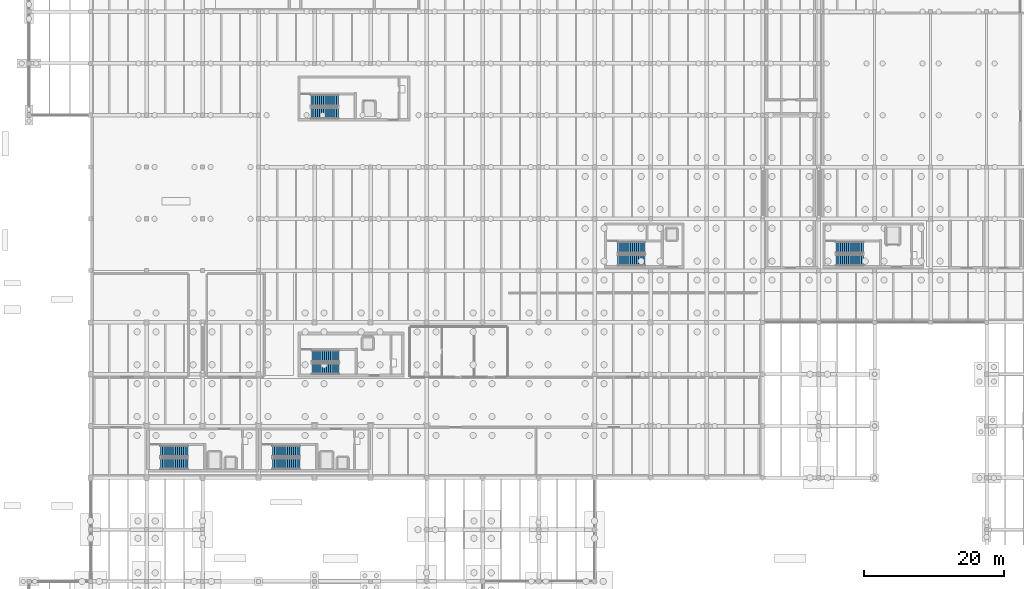
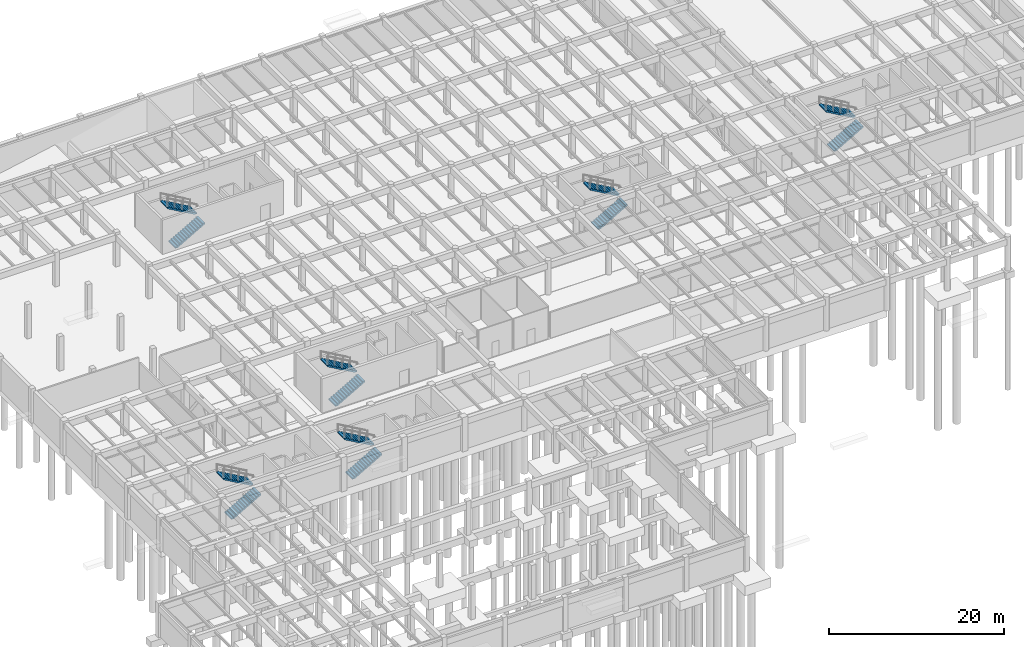
# One storey, part 26 of 40: 12 stair flights, 6 elements without a shape of their own.
"""IFC4 building model written with IfcOpenShell, lengths in metres."""

from ifc_helpers import new_model, si_unit, direction, frame, origin, place, context, subcontext, project, spatial, polyline, outline, extrude, material, type_object, element, aggregate, save


model = new_model("IFC4")

# Units and contexts
model_context = context("Model", 3, precision=1e-05, world=origin(), true_north=direction((0.0, 1.0)))
body_context = subcontext(model_context, "Body", "Model", "MODEL_VIEW")
ifc_project = project(units=[si_unit("LENGTHUNIT", "METRE"), si_unit("AREAUNIT", "SQUARE_METRE"), si_unit("VOLUMEUNIT", "CUBIC_METRE"), si_unit("PLANEANGLEUNIT", "RADIAN"), si_unit("MASSUNIT", "GRAM", prefix="KILO")], contexts=[model_context])

# Site, building, storey
site_placement = place(None, origin())
site = spatial("IfcSite", under=ifc_project, at=site_placement, CompositionType="ELEMENT")
building_placement = place(site_placement, origin())
building = spatial("IfcBuilding", under=site, at=building_placement, Name="Valkorina Park Police Headquarters", CompositionType="ELEMENT")
storey_placement = place(building_placement, frame((0.0, 0.0, -4.800048828125)))
storey = spatial("IfcBuildingStorey", under=building, at=storey_placement, Name="B01", CompositionType="ELEMENT", Elevation=-4.800048828125)

# Stair, stair flights
ifc_material = material(Name="Concrete C35/45", Category="concrete")
stair_type = type_object("IfcStairType", Name="ST-DOGLEG-160-48", PredefinedType="HALF_TURN_STAIR", material=ifc_material)
stair_1_placement = place(storey_placement, origin())
stair_1 = element("IfcStair", 1, at=stair_1_placement, inside=storey, type_object=stair_type, Name="B01 Core C1 Protected Stair (ST-01)", PredefinedType="HALF_TURN_STAIR")
stair_flight_type = type_object("IfcStairFlightType", Name="STF-STRAIGHT-160-48", PredefinedType="STRAIGHT", material=ifc_material)
stair_flight_1_placement = place(storey_placement, frame((18.800048828125, 39.0, 0.0), z_axis=(0.0, 0.0, 1.0), x_axis=(1.0, 0.0, 0.0)))
stair_flight_1 = element("IfcStairFlight", 2, at=stair_flight_1_placement, type_object=stair_flight_type, Name="ST-01 flight 1", NumberOfRisers=14, NumberOfTreads=13, PredefinedType="STRAIGHT", RiserHeight=0.171428571, TreadLength=0.3, context=body_context, shape_type="SweptSolid", body=[
    extrude(outline(polyline([(0.0, 0.0), (0.0, 0.17138671875), (0.300048828125, 0.17138671875), (0.300048828125, 0.3427734375), (0.60009765625, 0.3427734375), (0.60009765625, 0.514404296875), (0.89990234375, 0.514404296875), (0.89990234375, 0.685791015625), (1.199951171875, 0.685791015625), (1.199951171875, 0.857177734375), (1.5, 0.857177734375), (1.5, 1.028564453125), (1.800048828125, 1.028564453125), (1.800048828125, 1.199951171875), (2.10009765625, 1.199951171875), (2.10009765625, 1.371337890625), (2.39990234375, 1.371337890625), (2.39990234375, 1.54296875), (2.699951171875, 1.54296875), (2.699951171875, 1.71435546875), (3.0, 1.71435546875), (3.0, 1.8857421875), (3.300048828125, 1.8857421875), (3.300048828125, 2.05712890625), (3.60009765625, 2.05712890625), (3.60009765625, 2.228515625), (3.89990234375, 2.228515625), (3.89990234375, 2.39990234375), (3.89990234375, 2.04443359375), (0.322265625, 0.0), (0.0, 0.0)])), frame((0.0, 0.800048828125, 0.0), z_axis=(0.0, -1.0, 0.0), x_axis=(1.0, 0.0, 0.0)), (0.0, 0.0, 1.0), 1.60009765625),
])
stair_flight_2_placement = place(storey_placement, frame((22.699951171875, 40.800048828125, 2.400146484375), z_axis=(0.0, 0.0, 1.0), x_axis=(-1.0, 0.0, 0.0)))
stair_flight_2 = element("IfcStairFlight", 3, at=stair_flight_2_placement, type_object=stair_flight_type, Name="ST-01 flight 2", NumberOfRisers=14, NumberOfTreads=13, PredefinedType="STRAIGHT", RiserHeight=0.171428571, TreadLength=0.3, context=body_context, shape_type="SweptSolid", body=[
    extrude(outline(polyline([(0.0, 0.0), (0.0, 0.17138671875), (0.300048828125, 0.17138671875), (0.300048828125, 0.3427734375), (0.60009765625, 0.3427734375), (0.60009765625, 0.514404296875), (0.89990234375, 0.514404296875), (0.89990234375, 0.685791015625), (1.199951171875, 0.685791015625), (1.199951171875, 0.857177734375), (1.5, 0.857177734375), (1.5, 1.028564453125), (1.800048828125, 1.028564453125), (1.800048828125, 1.199951171875), (2.10009765625, 1.199951171875), (2.10009765625, 1.371337890625), (2.39990234375, 1.371337890625), (2.39990234375, 1.54296875), (2.699951171875, 1.54296875), (2.699951171875, 1.71435546875), (3.0, 1.71435546875), (3.0, 1.8857421875), (3.300048828125, 1.8857421875), (3.300048828125, 2.05712890625), (3.60009765625, 2.05712890625), (3.60009765625, 2.228515625), (3.89990234375, 2.228515625), (3.89990234375, 2.39990234375), (3.89990234375, 2.04443359375), (0.322265625, 0.0), (0.0, 0.0)])), frame((0.0, 0.800048828125, 0.0), z_axis=(0.0, -1.0, 0.0), x_axis=(1.0, 0.0, 0.0)), (0.0, 0.0, 1.0), 1.60009765625),
])
aggregate(stair_1, [stair_flight_1, stair_flight_2])

stair_2_placement = place(storey_placement, origin())
stair_2 = element("IfcStair", 4, at=stair_2_placement, inside=storey, type_object=stair_type, Name="B01 Core C2 Protected Stair (ST-01)", PredefinedType="HALF_TURN_STAIR")
stair_flight_3_placement = place(storey_placement, frame((34.800048828125, 39.0, 0.0), z_axis=(0.0, 0.0, 1.0), x_axis=(1.0, 0.0, 0.0)))
stair_flight_3 = element("IfcStairFlight", 5, at=stair_flight_3_placement, type_object=stair_flight_type, Name="ST-01 flight 1", NumberOfRisers=14, NumberOfTreads=13, PredefinedType="STRAIGHT", RiserHeight=0.171428571, TreadLength=0.3, context=body_context, shape_type="SweptSolid", body=[
    extrude(outline(polyline([(0.0, 0.0), (0.0, 0.17138671875), (0.300048828125, 0.17138671875), (0.300048828125, 0.3427734375), (0.60009765625, 0.3427734375), (0.60009765625, 0.514404296875), (0.89990234375, 0.514404296875), (0.89990234375, 0.685791015625), (1.199951171875, 0.685791015625), (1.199951171875, 0.857177734375), (1.5, 0.857177734375), (1.5, 1.028564453125), (1.800048828125, 1.028564453125), (1.800048828125, 1.199951171875), (2.10009765625, 1.199951171875), (2.10009765625, 1.371337890625), (2.39990234375, 1.371337890625), (2.39990234375, 1.54296875), (2.699951171875, 1.54296875), (2.699951171875, 1.71435546875), (3.0, 1.71435546875), (3.0, 1.8857421875), (3.300048828125, 1.8857421875), (3.300048828125, 2.05712890625), (3.60009765625, 2.05712890625), (3.60009765625, 2.228515625), (3.89990234375, 2.228515625), (3.89990234375, 2.39990234375), (3.89990234375, 2.04443359375), (0.322265625, 0.0), (0.0, 0.0)])), frame((0.0, 0.800048828125, 0.0), z_axis=(0.0, -1.0, 0.0), x_axis=(1.0, 0.0, 0.0)), (0.0, 0.0, 1.0), 1.60009765625),
])
stair_flight_4_placement = place(storey_placement, frame((38.699951171875, 40.800048828125, 2.400146484375), z_axis=(0.0, 0.0, 1.0), x_axis=(-1.0, 0.0, 0.0)))
stair_flight_4 = element("IfcStairFlight", 6, at=stair_flight_4_placement, type_object=stair_flight_type, Name="ST-01 flight 2", NumberOfRisers=14, NumberOfTreads=13, PredefinedType="STRAIGHT", RiserHeight=0.171428571, TreadLength=0.3, context=body_context, shape_type="SweptSolid", body=[
    extrude(outline(polyline([(0.0, 0.0), (0.0, 0.17138671875), (0.300048828125, 0.17138671875), (0.300048828125, 0.3427734375), (0.60009765625, 0.3427734375), (0.60009765625, 0.514404296875), (0.89990234375, 0.514404296875), (0.89990234375, 0.685791015625), (1.199951171875, 0.685791015625), (1.199951171875, 0.857177734375), (1.5, 0.857177734375), (1.5, 1.028564453125), (1.800048828125, 1.028564453125), (1.800048828125, 1.199951171875), (2.10009765625, 1.199951171875), (2.10009765625, 1.371337890625), (2.39990234375, 1.371337890625), (2.39990234375, 1.54296875), (2.699951171875, 1.54296875), (2.699951171875, 1.71435546875), (3.0, 1.71435546875), (3.0, 1.8857421875), (3.300048828125, 1.8857421875), (3.300048828125, 2.05712890625), (3.60009765625, 2.05712890625), (3.60009765625, 2.228515625), (3.89990234375, 2.228515625), (3.89990234375, 2.39990234375), (3.89990234375, 2.04443359375), (0.322265625, 0.0), (0.0, 0.0)])), frame((0.0, 0.800048828125, 0.0), z_axis=(0.0, -1.0, 0.0), x_axis=(1.0, 0.0, 0.0)), (0.0, 0.0, 1.0), 1.60009765625),
])
aggregate(stair_2, [stair_flight_3, stair_flight_4])

stair_3_placement = place(storey_placement, origin())
stair_3 = element("IfcStair", 7, at=stair_3_placement, inside=storey, type_object=stair_type, Name="B01 Core C3 Protected Stair (ST-01)", PredefinedType="HALF_TURN_STAIR")
stair_flight_5_placement = place(storey_placement, frame((40.39990234375, 52.60009765625, 0.0), z_axis=(0.0, 0.0, 1.0), x_axis=(1.0, 0.0, 0.0)))
stair_flight_5 = element("IfcStairFlight", 8, at=stair_flight_5_placement, type_object=stair_flight_type, Name="ST-01 flight 1", NumberOfRisers=14, NumberOfTreads=13, PredefinedType="STRAIGHT", RiserHeight=0.171428571, TreadLength=0.3, context=body_context, shape_type="SweptSolid", body=[
    extrude(outline(polyline([(0.0, 0.0), (0.0, 0.17138671875), (0.300048828125, 0.17138671875), (0.300048828125, 0.3427734375), (0.60009765625, 0.3427734375), (0.60009765625, 0.514404296875), (0.89990234375, 0.514404296875), (0.89990234375, 0.685791015625), (1.199951171875, 0.685791015625), (1.199951171875, 0.857177734375), (1.5, 0.857177734375), (1.5, 1.028564453125), (1.800048828125, 1.028564453125), (1.800048828125, 1.199951171875), (2.10009765625, 1.199951171875), (2.10009765625, 1.371337890625), (2.39990234375, 1.371337890625), (2.39990234375, 1.54296875), (2.699951171875, 1.54296875), (2.699951171875, 1.71435546875), (3.0, 1.71435546875), (3.0, 1.8857421875), (3.300048828125, 1.8857421875), (3.300048828125, 2.05712890625), (3.60009765625, 2.05712890625), (3.60009765625, 2.228515625), (3.89990234375, 2.228515625), (3.89990234375, 2.39990234375), (3.89990234375, 2.04443359375), (0.322265625, 0.0), (0.0, 0.0)])), frame((0.0, 0.800048828125, 0.0), z_axis=(0.0, -1.0, 0.0), x_axis=(1.0, 0.0, 0.0)), (0.0, 0.0, 1.0), 1.60009765625),
])
stair_flight_6_placement = place(storey_placement, frame((44.300048828125, 54.39990234375, 2.400146484375), z_axis=(0.0, 0.0, 1.0), x_axis=(-1.0, 0.0, 0.0)))
stair_flight_6 = element("IfcStairFlight", 9, at=stair_flight_6_placement, type_object=stair_flight_type, Name="ST-01 flight 2", NumberOfRisers=14, NumberOfTreads=13, PredefinedType="STRAIGHT", RiserHeight=0.171428571, TreadLength=0.3, context=body_context, shape_type="SweptSolid", body=[
    extrude(outline(polyline([(0.0, 0.0), (0.0, 0.17138671875), (0.300048828125, 0.17138671875), (0.300048828125, 0.3427734375), (0.60009765625, 0.3427734375), (0.60009765625, 0.514404296875), (0.89990234375, 0.514404296875), (0.89990234375, 0.685791015625), (1.199951171875, 0.685791015625), (1.199951171875, 0.857177734375), (1.5, 0.857177734375), (1.5, 1.028564453125), (1.800048828125, 1.028564453125), (1.800048828125, 1.199951171875), (2.10009765625, 1.199951171875), (2.10009765625, 1.371337890625), (2.39990234375, 1.371337890625), (2.39990234375, 1.54296875), (2.699951171875, 1.54296875), (2.699951171875, 1.71435546875), (3.0, 1.71435546875), (3.0, 1.8857421875), (3.300048828125, 1.8857421875), (3.300048828125, 2.05712890625), (3.60009765625, 2.05712890625), (3.60009765625, 2.228515625), (3.89990234375, 2.228515625), (3.89990234375, 2.39990234375), (3.89990234375, 2.04443359375), (0.322265625, 0.0), (0.0, 0.0)])), frame((0.0, 0.800048828125, 0.0), z_axis=(0.0, -1.0, 0.0), x_axis=(1.0, 0.0, 0.0)), (0.0, 0.0, 1.0), 1.60009765625),
])
aggregate(stair_3, [stair_flight_5, stair_flight_6])

stair_4_placement = place(storey_placement, origin())
stair_4 = element("IfcStair", 10, at=stair_4_placement, inside=storey, type_object=stair_type, Name="B01 Core C4 Protected Stair (ST-01)", PredefinedType="HALF_TURN_STAIR")
stair_flight_7_placement = place(storey_placement, frame((40.300048828125, 89.10009765625, 0.0), z_axis=(0.0, 0.0, 1.0), x_axis=(1.0, 0.0, 0.0)))
stair_flight_7 = element("IfcStairFlight", 11, at=stair_flight_7_placement, type_object=stair_flight_type, Name="ST-01 flight 1", NumberOfRisers=14, NumberOfTreads=13, PredefinedType="STRAIGHT", RiserHeight=0.171428571, TreadLength=0.3, context=body_context, shape_type="SweptSolid", body=[
    extrude(outline(polyline([(0.0, 0.0), (0.0, 0.17138671875), (0.300048828125, 0.17138671875), (0.300048828125, 0.3427734375), (0.60009765625, 0.3427734375), (0.60009765625, 0.514404296875), (0.89990234375, 0.514404296875), (0.89990234375, 0.685791015625), (1.199951171875, 0.685791015625), (1.199951171875, 0.857177734375), (1.5, 0.857177734375), (1.5, 1.028564453125), (1.800048828125, 1.028564453125), (1.800048828125, 1.199951171875), (2.10009765625, 1.199951171875), (2.10009765625, 1.371337890625), (2.39990234375, 1.371337890625), (2.39990234375, 1.54296875), (2.699951171875, 1.54296875), (2.699951171875, 1.71435546875), (3.0, 1.71435546875), (3.0, 1.8857421875), (3.300048828125, 1.8857421875), (3.300048828125, 2.05712890625), (3.60009765625, 2.05712890625), (3.60009765625, 2.228515625), (3.89990234375, 2.228515625), (3.89990234375, 2.39990234375), (3.89990234375, 2.04443359375), (0.322265625, 0.0), (0.0, 0.0)])), frame((0.0, 0.800048828125, 0.0), z_axis=(0.0, -1.0, 0.0), x_axis=(1.0, 0.0, 0.0)), (0.0, 0.0, 1.0), 1.60009765625),
])
stair_flight_8_placement = place(storey_placement, frame((44.199951171875, 90.89990234375, 2.400146484375), z_axis=(0.0, 0.0, 1.0), x_axis=(-1.0, 0.0, 0.0)))
stair_flight_8 = element("IfcStairFlight", 12, at=stair_flight_8_placement, type_object=stair_flight_type, Name="ST-01 flight 2", NumberOfRisers=14, NumberOfTreads=13, PredefinedType="STRAIGHT", RiserHeight=0.171428571, TreadLength=0.3, context=body_context, shape_type="SweptSolid", body=[
    extrude(outline(polyline([(0.0, 0.0), (0.0, 0.17138671875), (0.300048828125, 0.17138671875), (0.300048828125, 0.3427734375), (0.60009765625, 0.3427734375), (0.60009765625, 0.514404296875), (0.89990234375, 0.514404296875), (0.89990234375, 0.685791015625), (1.199951171875, 0.685791015625), (1.199951171875, 0.857177734375), (1.5, 0.857177734375), (1.5, 1.028564453125), (1.800048828125, 1.028564453125), (1.800048828125, 1.199951171875), (2.10009765625, 1.199951171875), (2.10009765625, 1.371337890625), (2.39990234375, 1.371337890625), (2.39990234375, 1.54296875), (2.699951171875, 1.54296875), (2.699951171875, 1.71435546875), (3.0, 1.71435546875), (3.0, 1.8857421875), (3.300048828125, 1.8857421875), (3.300048828125, 2.05712890625), (3.60009765625, 2.05712890625), (3.60009765625, 2.228515625), (3.89990234375, 2.228515625), (3.89990234375, 2.39990234375), (3.89990234375, 2.04443359375), (0.322265625, 0.0), (0.0, 0.0)])), frame((0.0, 0.800048828125, 0.0), z_axis=(0.0, -1.0, 0.0), x_axis=(1.0, 0.0, 0.0)), (0.0, 0.0, 1.0), 1.60009765625),
])
aggregate(stair_4, [stair_flight_7, stair_flight_8])

stair_5_placement = place(storey_placement, origin())
stair_5 = element("IfcStair", 13, at=stair_5_placement, inside=storey, type_object=stair_type, Name="B01 Core C5 Protected Stair (ST-01)", PredefinedType="HALF_TURN_STAIR")
stair_flight_9_placement = place(storey_placement, frame((115.300048828125, 68.10009765625, 0.0), z_axis=(0.0, 0.0, 1.0), x_axis=(1.0, 0.0, 0.0)))
stair_flight_9 = element("IfcStairFlight", 14, at=stair_flight_9_placement, type_object=stair_flight_type, Name="ST-01 flight 1", NumberOfRisers=14, NumberOfTreads=13, PredefinedType="STRAIGHT", RiserHeight=0.171428571, TreadLength=0.3, context=body_context, shape_type="SweptSolid", body=[
    extrude(outline(polyline([(0.0, 0.0), (0.0, 0.17138671875), (0.300048828125, 0.17138671875), (0.300048828125, 0.3427734375), (0.60009765625, 0.3427734375), (0.60009765625, 0.514404296875), (0.89990234375, 0.514404296875), (0.89990234375, 0.685791015625), (1.199951171875, 0.685791015625), (1.199951171875, 0.857177734375), (1.5, 0.857177734375), (1.5, 1.028564453125), (1.800048828125, 1.028564453125), (1.800048828125, 1.199951171875), (2.10009765625, 1.199951171875), (2.10009765625, 1.371337890625), (2.39990234375, 1.371337890625), (2.39990234375, 1.54296875), (2.699951171875, 1.54296875), (2.699951171875, 1.71435546875), (3.0, 1.71435546875), (3.0, 1.8857421875), (3.300048828125, 1.8857421875), (3.300048828125, 2.05712890625), (3.60009765625, 2.05712890625), (3.60009765625, 2.228515625), (3.89990234375, 2.228515625), (3.89990234375, 2.39990234375), (3.89990234375, 2.04443359375), (0.322265625, 0.0), (0.0, 0.0)])), frame((0.0, 0.800048828125, 0.0), z_axis=(0.0, -1.0, 0.0), x_axis=(1.0, 0.0, 0.0)), (0.0, 0.0, 1.0), 1.60009765625),
])
stair_flight_10_placement = place(storey_placement, frame((119.199951171875, 69.89990234375, 2.400146484375), z_axis=(0.0, 0.0, 1.0), x_axis=(-1.0, 0.0, 0.0)))
stair_flight_10 = element("IfcStairFlight", 15, at=stair_flight_10_placement, type_object=stair_flight_type, Name="ST-01 flight 2", NumberOfRisers=14, NumberOfTreads=13, PredefinedType="STRAIGHT", RiserHeight=0.171428571, TreadLength=0.3, context=body_context, shape_type="SweptSolid", body=[
    extrude(outline(polyline([(0.0, 0.0), (0.0, 0.17138671875), (0.300048828125, 0.17138671875), (0.300048828125, 0.3427734375), (0.60009765625, 0.3427734375), (0.60009765625, 0.514404296875), (0.89990234375, 0.514404296875), (0.89990234375, 0.685791015625), (1.199951171875, 0.685791015625), (1.199951171875, 0.857177734375), (1.5, 0.857177734375), (1.5, 1.028564453125), (1.800048828125, 1.028564453125), (1.800048828125, 1.199951171875), (2.10009765625, 1.199951171875), (2.10009765625, 1.371337890625), (2.39990234375, 1.371337890625), (2.39990234375, 1.54296875), (2.699951171875, 1.54296875), (2.699951171875, 1.71435546875), (3.0, 1.71435546875), (3.0, 1.8857421875), (3.300048828125, 1.8857421875), (3.300048828125, 2.05712890625), (3.60009765625, 2.05712890625), (3.60009765625, 2.228515625), (3.89990234375, 2.228515625), (3.89990234375, 2.39990234375), (3.89990234375, 2.04443359375), (0.322265625, 0.0), (0.0, 0.0)])), frame((0.0, 0.800048828125, 0.0), z_axis=(0.0, -1.0, 0.0), x_axis=(1.0, 0.0, 0.0)), (0.0, 0.0, 1.0), 1.60009765625),
])
aggregate(stair_5, [stair_flight_9, stair_flight_10])

stair_6_placement = place(storey_placement, origin())
stair_6 = element("IfcStair", 16, at=stair_6_placement, inside=storey, type_object=stair_type, Name="B01 Core C6 Protected Stair (ST-01)", PredefinedType="HALF_TURN_STAIR")
stair_flight_11_placement = place(storey_placement, frame((84.10009765625, 68.10009765625, 0.0), z_axis=(0.0, 0.0, 1.0), x_axis=(1.0, 0.0, 0.0)))
stair_flight_11 = element("IfcStairFlight", 17, at=stair_flight_11_placement, type_object=stair_flight_type, Name="ST-01 flight 1", NumberOfRisers=14, NumberOfTreads=13, PredefinedType="STRAIGHT", RiserHeight=0.171428571, TreadLength=0.3, context=body_context, shape_type="SweptSolid", body=[
    extrude(outline(polyline([(0.0, 0.0), (0.0, 0.17138671875), (0.300048828125, 0.17138671875), (0.300048828125, 0.3427734375), (0.60009765625, 0.3427734375), (0.60009765625, 0.514404296875), (0.89990234375, 0.514404296875), (0.89990234375, 0.685791015625), (1.199951171875, 0.685791015625), (1.199951171875, 0.857177734375), (1.5, 0.857177734375), (1.5, 1.028564453125), (1.800048828125, 1.028564453125), (1.800048828125, 1.199951171875), (2.10009765625, 1.199951171875), (2.10009765625, 1.371337890625), (2.39990234375, 1.371337890625), (2.39990234375, 1.54296875), (2.699951171875, 1.54296875), (2.699951171875, 1.71435546875), (3.0, 1.71435546875), (3.0, 1.8857421875), (3.300048828125, 1.8857421875), (3.300048828125, 2.05712890625), (3.60009765625, 2.05712890625), (3.60009765625, 2.228515625), (3.89990234375, 2.228515625), (3.89990234375, 2.39990234375), (3.89990234375, 2.04443359375), (0.322265625, 0.0), (0.0, 0.0)])), frame((0.0, 0.800048828125, 0.0), z_axis=(0.0, -1.0, 0.0), x_axis=(1.0, 0.0, 0.0)), (0.0, 0.0, 1.0), 1.60009765625),
])
stair_flight_12_placement = place(storey_placement, frame((88.0, 69.89990234375, 2.400146484375), z_axis=(0.0, 0.0, 1.0), x_axis=(-1.0, 0.0, 0.0)))
stair_flight_12 = element("IfcStairFlight", 18, at=stair_flight_12_placement, type_object=stair_flight_type, Name="ST-01 flight 2", NumberOfRisers=14, NumberOfTreads=13, PredefinedType="STRAIGHT", RiserHeight=0.171428571, TreadLength=0.3, context=body_context, shape_type="SweptSolid", body=[
    extrude(outline(polyline([(0.0, 0.0), (0.0, 0.17138671875), (0.300048828125, 0.17138671875), (0.300048828125, 0.3427734375), (0.60009765625, 0.3427734375), (0.60009765625, 0.514404296875), (0.89990234375, 0.514404296875), (0.89990234375, 0.685791015625), (1.199951171875, 0.685791015625), (1.199951171875, 0.857177734375), (1.5, 0.857177734375), (1.5, 1.028564453125), (1.800048828125, 1.028564453125), (1.800048828125, 1.199951171875), (2.10009765625, 1.199951171875), (2.10009765625, 1.371337890625), (2.39990234375, 1.371337890625), (2.39990234375, 1.54296875), (2.699951171875, 1.54296875), (2.699951171875, 1.71435546875), (3.0, 1.71435546875), (3.0, 1.8857421875), (3.300048828125, 1.8857421875), (3.300048828125, 2.05712890625), (3.60009765625, 2.05712890625), (3.60009765625, 2.228515625), (3.89990234375, 2.228515625), (3.89990234375, 2.39990234375), (3.89990234375, 2.04443359375), (0.322265625, 0.0), (0.0, 0.0)])), frame((0.0, 0.800048828125, 0.0), z_axis=(0.0, -1.0, 0.0), x_axis=(1.0, 0.0, 0.0)), (0.0, 0.0, 1.0), 1.60009765625),
])
aggregate(stair_6, [stair_flight_11, stair_flight_12])

save(model, "model.ifc")
